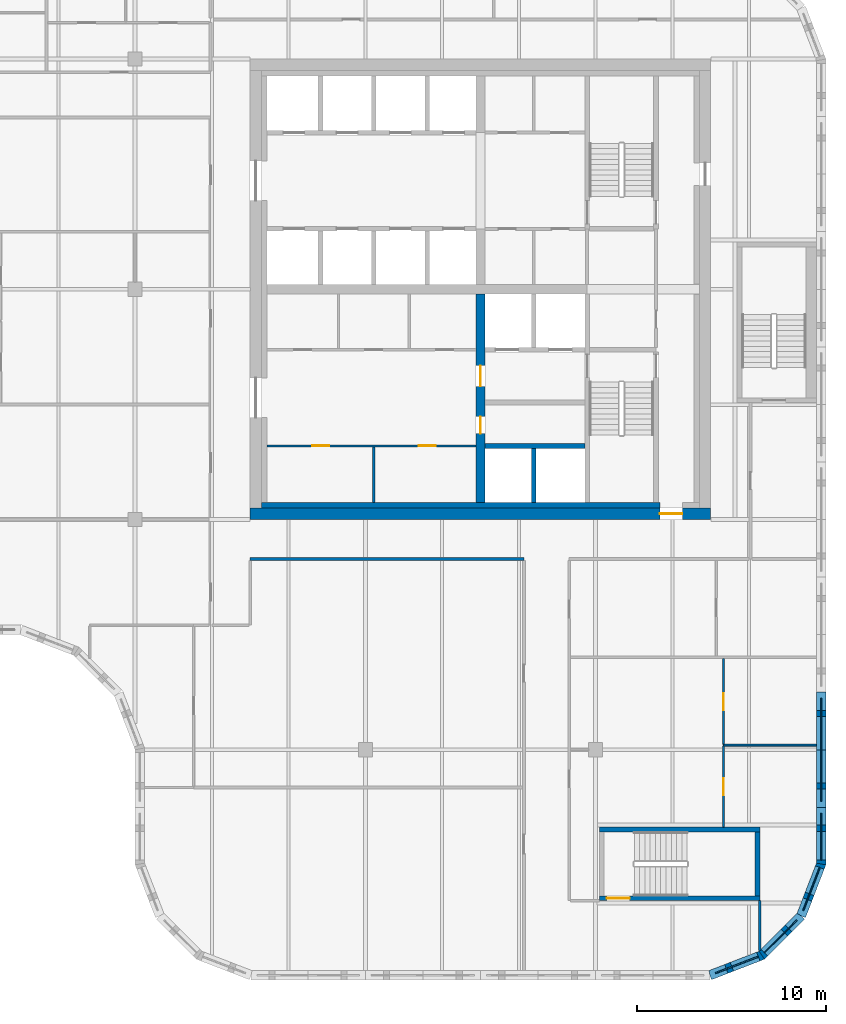
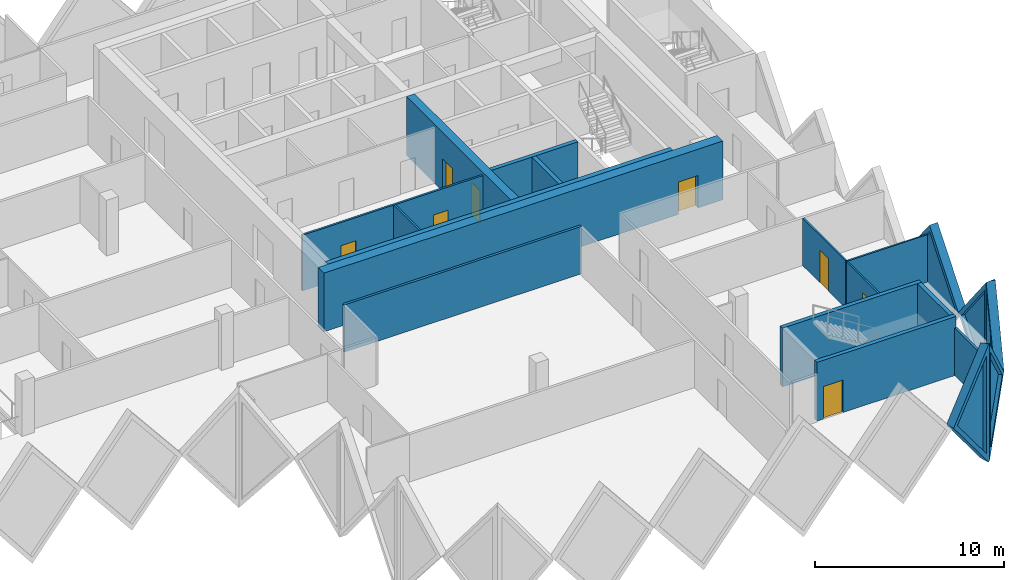
# One storey, part 5 of 11: 20 walls, 8 doors, 5 plates, 13 openings.
"""IFC4 building model written with IfcOpenShell, lengths in metres."""

from ifc_helpers import new_model, si_unit, direction, frame, frame_2d, origin, place, context, subcontext, project, spatial, polyline, rectangle, outline, extrude, faceted_brep, source, transform, mapped, material, layer, layer_set, type_object, element, fill, save


model = new_model("IFC4")

# Units and contexts
model_context = context("Model", 3, precision=1e-05, world=origin(), true_north=direction((0.0, 1.0)))
body_context = subcontext(model_context, "Body", "Model", "MODEL_VIEW")
ifc_project = project(units=[si_unit("LENGTHUNIT", "METRE"), si_unit("AREAUNIT", "SQUARE_METRE"), si_unit("VOLUMEUNIT", "CUBIC_METRE"), si_unit("PLANEANGLEUNIT", "RADIAN"), si_unit("MASSUNIT", "GRAM", prefix="KILO")], contexts=[model_context])

# Site, building, storey
site_placement = place(None, origin())
site = spatial("IfcSite", under=ifc_project, at=site_placement, CompositionType="ELEMENT")
building_placement = place(site_placement, origin())
building = spatial("IfcBuilding", under=site, at=building_placement, Name="Tessera Gate Towers", CompositionType="ELEMENT")
storey_placement = place(building_placement, frame((0.0, 0.0, 174.39990234375)))
storey = spatial("IfcBuildingStorey", under=building, at=storey_placement, Name="L43", CompositionType="ELEMENT", Elevation=174.39990234375)

# Walls
ifc_material_1 = material(Name="Concrete C40/50", Category="concrete")
ifc_layer_1 = layer(ifc_material_1, 0.25)
ifc_layer_set_1 = layer_set([ifc_layer_1], Name="CORE ENCLOSURE WALL 250")
wall_type_1 = type_object("IfcWallType", Name="CORE ENCLOSURE WALL 250", PredefinedType="SOLIDWALL", material=ifc_layer_set_1)
wall_1_placement = place(storey_placement, frame((42.949951171875, 28.300048828125, 0.0), z_axis=(0.0, 0.0, 1.0), x_axis=(1.0, 0.0, 0.0)))
element("IfcWall", 1, at=wall_1_placement, inside=storey, type_object=wall_type_1, Name="L43 shaft and stair enclosure wall", PredefinedType="SOLIDWALL", context=body_context, shape_type="SweptSolid", body=[
    extrude(rectangle(XDim=5.275146484375, YDim=0.25, at=frame_2d((2.6376953125, 0.0))), origin(), (0.0, 0.0, 1.0), 3.800048828125),
])
wall_2_placement = place(storey_placement, frame((45.52490234375, 25.300048828125, 0.0), z_axis=(0.0, 0.0, 1.0), x_axis=(0.0, 1.0, 0.0)))
element("IfcWall", 2, at=wall_2_placement, inside=storey, type_object=wall_type_1, Name="L43 shaft and stair enclosure wall", PredefinedType="SOLIDWALL", context=body_context, shape_type="SweptSolid", body=[
    extrude(rectangle(XDim=2.875, YDim=0.25, at=frame_2d((1.4375, 0.0))), origin(), (0.0, 0.0, 1.0), 3.800048828125),
])

# Wall, opening, door
wall_3_placement = place(storey_placement, frame((57.5, 4.324951171875, 0.0), z_axis=(0.0, 0.0, 1.0), x_axis=(-1.0, 0.0, 0.0)))
wall_3 = element("IfcWall", 3, at=wall_3_placement, inside=storey, type_object=wall_type_1, Name="L43 ST4 enclosure wall", PredefinedType="SOLIDWALL", context=body_context, shape_type="SweptSolid", body=[
    extrude(rectangle(XDim=8.5, YDim=0.25, at=frame_2d((4.25, 0.0))), origin(), (0.0, 0.0, 1.0), 3.800048828125),
])
shared_shape_1 = source(origin(), body_context, "Body", "SweptSolid", [
    extrude(rectangle(XDim=1.199951171875, YDim=2.10009765625, at=frame_2d((0.60009765625, 1.050048828125))), frame((0.0, 0.135009765625, 0.0), z_axis=(0.0, -1.0, 0.0), x_axis=(1.0, 0.0, 0.0)), (0.0, 0.0, 1.0), 0.27001953125),
])
opening_1_placement = place(wall_3_placement, frame((6.89990234375, 0.0, 0.0)))
opening_1 = element("IfcOpeningElement", 4, at=opening_1_placement, cuts=wall_3, Name="Opening SD-ST4-1", PredefinedType="OPENING", context=body_context, shape_type="MappedRepresentation", body=[
    mapped(shared_shape_1, transform((0.0, 0.0, 0.0), scale=1.0)),
])
ifc_material_2 = material(Name="Hollow steel fire door", Category="steel")
door_type_1 = type_object("IfcDoorType", Name="CORE DOOR SD 1200x2100", OperationType="NOTDEFINED", PredefinedType="DOOR", material=ifc_material_2)
shared_shape_2 = source(origin(), body_context, "Body", "SweptSolid", [
    extrude(rectangle(XDim=1.199951171875, YDim=2.10009765625, at=frame_2d((0.60009765625, 1.050048828125))), frame((0.0, 0.02490234375, 0.0), z_axis=(0.0, -1.0, 0.0), x_axis=(1.0, 0.0, 0.0)), (0.0, 0.0, 1.0), 0.050048828125),
])
door_1_placement = place(opening_1_placement, origin())
door_1 = element("IfcDoor", 5, at=door_1_placement, inside=storey, type_object=door_type_1, Name="Stair door", OperationType="SINGLE_SWING_RIGHT", OverallHeight=2.10009765625, OverallWidth=1.199951171875, PredefinedType="DOOR", context=body_context, shape_type="MappedRepresentation", body=[
    mapped(shared_shape_2, transform((0.0, 0.0, 0.0), scale=1.0)),
])
fill(opening_1, door_1)

# Walls
wall_4_placement = place(storey_placement, frame((49.0, 7.97509765625, 0.0), z_axis=(0.0, 0.0, 1.0), x_axis=(1.0, 0.0, 0.0)))
element("IfcWall", 6, at=wall_4_placement, inside=storey, type_object=wall_type_1, Name="L43 ST4 enclosure wall", PredefinedType="SOLIDWALL", context=body_context, shape_type="SweptSolid", body=[
    extrude(rectangle(XDim=8.5, YDim=0.25, at=frame_2d((4.25, 0.0))), origin(), (0.0, 0.0, 1.0), 3.800048828125),
])
wall_5_placement = place(storey_placement, frame((57.375, 7.85009765625, 0.0), z_axis=(0.0, 0.0, 1.0), x_axis=(0.0, -1.0, 0.0)))
element("IfcWall", 7, at=wall_5_placement, inside=storey, type_object=wall_type_1, Name="L43 ST4 enclosure wall", PredefinedType="SOLIDWALL", context=body_context, shape_type="SweptSolid", body=[
    extrude(rectangle(XDim=3.400146484375, YDim=0.25, at=frame_2d((1.7001953125, 0.0))), origin(), (0.0, 0.0, 1.0), 3.800048828125),
])

# Wall, openings, doors
ifc_material_3 = material(Name="Gypsum board on steel studs", Category="steel")
ifc_layer_2 = layer(ifc_material_3, 0.1201171875)
ifc_layer_set_2 = layer_set([ifc_layer_2], Name="CORE PARTITION 120")
wall_type_2 = type_object("IfcWallType", Name="CORE PARTITION 120", PredefinedType="PARTITIONING", material=ifc_layer_set_2)
wall_6_placement = place(storey_placement, frame((42.449951171875, 28.300048828125, 0.0), z_axis=(0.0, 0.0, 1.0), x_axis=(-1.0, 0.0, 0.0)))
wall_6 = element("IfcWall", 8, at=wall_6_placement, inside=storey, type_object=wall_type_2, Name="L43 core partition", PredefinedType="PARTITIONING", context=body_context, shape_type="SweptSolid", body=[
    extrude(rectangle(XDim=11.050048828125, YDim=0.1201171875, at=frame_2d((5.52490234375, 0.0))), origin(), (0.0, 0.0, 1.0), 3.60009765625),
])
shared_shape_3 = source(origin(), body_context, "Body", "SweptSolid", [
    extrude(rectangle(XDim=0.89990234375, YDim=2.10009765625, at=frame_2d((0.449951171875, 1.050048828125))), frame((0.0, 0.070068359375, 0.0), z_axis=(0.0, -1.0, 0.0), x_axis=(1.0, 0.0, 0.0)), (0.0, 0.0, 1.0), 0.14013671875),
])
opening_2_placement = place(wall_6_placement, frame((7.77490234375, 0.0, 0.0)))
opening_2 = element("IfcOpeningElement", 9, at=opening_2_placement, cuts=wall_6, Name="Opening RD-T1-27-07", PredefinedType="OPENING", context=body_context, shape_type="MappedRepresentation", body=[
    mapped(shared_shape_3, transform((0.0, 0.0, 0.0), scale=1.0)),
])
opening_3_placement = place(wall_6_placement, frame((2.125, 0.0, 0.0)))
opening_3 = element("IfcOpeningElement", 10, at=opening_3_placement, cuts=wall_6, Name="Opening RD-T1-27-08", PredefinedType="OPENING", context=body_context, shape_type="MappedRepresentation", body=[
    mapped(shared_shape_3, transform((0.0, 0.0, 0.0), scale=1.0)),
])
ifc_material_4 = material(Name="Hollow steel fire door", Category="steel")
door_type_2 = type_object("IfcDoorType", Name="CORE DOOR RD 900x2100", OperationType="NOTDEFINED", PredefinedType="DOOR", material=ifc_material_4)
shared_shape_4 = source(origin(), body_context, "Body", "SweptSolid", [
    extrude(rectangle(XDim=0.89990234375, YDim=2.10009765625, at=frame_2d((0.449951171875, 1.050048828125))), frame((0.0, 0.02490234375, 0.0), z_axis=(0.0, -1.0, 0.0), x_axis=(1.0, 0.0, 0.0)), (0.0, 0.0, 1.0), 0.050048828125),
])
door_2_placement = place(opening_2_placement, origin())
door_2 = element("IfcDoor", 11, at=door_2_placement, inside=storey, type_object=door_type_2, Name="Core room door", OperationType="SINGLE_SWING_RIGHT", OverallHeight=2.10009765625, OverallWidth=0.89990234375, PredefinedType="DOOR", context=body_context, shape_type="MappedRepresentation", body=[
    mapped(shared_shape_4, transform((0.0, 0.0, 0.0), scale=1.0)),
])
fill(opening_2, door_2)
door_3_placement = place(opening_3_placement, origin())
door_3 = element("IfcDoor", 12, at=door_3_placement, inside=storey, type_object=door_type_2, Name="Core room door", OperationType="SINGLE_SWING_LEFT", OverallHeight=2.10009765625, OverallWidth=0.89990234375, PredefinedType="DOOR", context=body_context, shape_type="MappedRepresentation", body=[
    mapped(shared_shape_4, transform((0.0, 0.0, 0.0), scale=1.0)),
])
fill(opening_3, door_3)

# Wall
wall_7_placement = place(storey_placement, frame((37.050048828125, 25.300048828125, 0.0), z_axis=(0.0, 0.0, 1.0), x_axis=(0.0, 1.0, 0.0)))
element("IfcWall", 13, at=wall_7_placement, inside=storey, type_object=wall_type_2, Name="L43 core partition", PredefinedType="PARTITIONING", context=body_context, shape_type="SweptSolid", body=[
    extrude(rectangle(XDim=2.93994140625, YDim=0.1201171875, at=frame_2d((1.469970703125, 0.0))), origin(), (0.0, 0.0, 1.0), 3.60009765625),
])

# Wall, opening, door
ifc_material_5 = material(Name="Concrete C50/60", Category="concrete")
ifc_layer_3 = layer(ifc_material_5, 0.60009765625)
ifc_layer_set_3 = layer_set([ifc_layer_3], Name="CORE SHEAR WALL 600 C50/60")
wall_type_3 = type_object("IfcWallType", Name="CORE SHEAR WALL 600 C50/60", PredefinedType="SHEAR", material=ifc_layer_set_3)
wall_8_placement = place(storey_placement, frame((54.89990234375, 24.699951171875, 0.0), z_axis=(0.0, 0.0, 1.0), x_axis=(-1.0, 0.0, 0.0)))
wall_8 = element("IfcWall", 14, at=wall_8_placement, inside=storey, type_object=wall_type_3, Name="Core wall S L43", PredefinedType="SHEAR", context=body_context, shape_type="SweptSolid", body=[
    extrude(rectangle(XDim=24.39990234375, YDim=0.60009765625, at=frame_2d((12.199951171875, 0.0))), origin(), (0.0, 0.0, 1.0), 3.800048828125),
])
shared_shape_5 = source(origin(), body_context, "Body", "SweptSolid", [
    extrude(rectangle(XDim=1.199951171875, YDim=2.10009765625, at=frame_2d((0.60009765625, 1.050048828125))), frame((0.0, 0.31005859375, 0.0), z_axis=(0.0, -1.0, 0.0), x_axis=(1.0, 0.0, 0.0)), (0.0, 0.0, 1.0), 0.6201171875),
])
opening_4_placement = place(wall_8_placement, frame((1.5, 0.0, 0.0)))
opening_4 = element("IfcOpeningElement", 15, at=opening_4_placement, cuts=wall_8, Name="Opening ED-T1-27-01", PredefinedType="OPENING", context=body_context, shape_type="MappedRepresentation", body=[
    mapped(shared_shape_5, transform((0.0, 0.0, 0.0), scale=1.0)),
])
ifc_material_6 = material(Name="Hollow steel fire door", Category="steel")
door_type_3 = type_object("IfcDoorType", Name="CORE DOOR ED 1200x2100", OperationType="NOTDEFINED", PredefinedType="DOOR", material=ifc_material_6)
door_4_placement = place(opening_4_placement, origin())
door_4 = element("IfcDoor", 16, at=door_4_placement, inside=storey, type_object=door_type_3, Name="Core exit door", OperationType="SINGLE_SWING_LEFT", OverallHeight=2.10009765625, OverallWidth=1.199951171875, PredefinedType="DOOR", context=body_context, shape_type="MappedRepresentation", body=[
    mapped(shared_shape_2, transform((0.0, 0.0, 0.0), scale=1.0)),
])
fill(opening_4, door_4)

# Wall, openings, doors
ifc_material_7 = material(Name="Concrete C50/60", Category="concrete")
ifc_layer_4 = layer(ifc_material_7, 0.5)
ifc_layer_set_4 = layer_set([ifc_layer_4], Name="CORE SPINE WALL 500 C50/60")
wall_type_4 = type_object("IfcWallType", Name="CORE SPINE WALL 500 C50/60", PredefinedType="SHEAR", material=ifc_layer_set_4)
wall_9_placement = place(storey_placement, frame((42.699951171875, 36.35009765625, 0.0), z_axis=(0.0, 0.0, 1.0), x_axis=(0.0, -1.0, 0.0)))
wall_9 = element("IfcWall", 17, at=wall_9_placement, inside=storey, type_object=wall_type_4, Name="Core wall spine L43", PredefinedType="SHEAR", context=body_context, shape_type="SweptSolid", body=[
    extrude(rectangle(XDim=11.050048828125, YDim=0.5, at=frame_2d((5.52490234375, 0.0))), origin(), (0.0, 0.0, 1.0), 3.800048828125),
])
shared_shape_6 = source(origin(), body_context, "Body", "SweptSolid", [
    extrude(rectangle(XDim=0.89990234375, YDim=2.10009765625, at=frame_2d((0.449951171875, 1.050048828125))), frame((0.0, 0.260009765625, 0.0), z_axis=(0.0, -1.0, 0.0), x_axis=(1.0, 0.0, 0.0)), (0.0, 0.0, 1.0), 0.52001953125),
])
opening_5_placement = place(wall_9_placement, frame((6.5, 0.0, 0.0)))
opening_5 = element("IfcOpeningElement", 18, at=opening_5_placement, cuts=wall_9, Name="Opening RD-T1-27-05", PredefinedType="OPENING", context=body_context, shape_type="MappedRepresentation", body=[
    mapped(shared_shape_6, transform((0.0, 0.0, 0.0), scale=1.0)),
])
shared_shape_7 = source(origin(), body_context, "Body", "SweptSolid", [
    extrude(rectangle(XDim=1.10009765625, YDim=2.10009765625, at=frame_2d((0.550048828125, 1.050048828125))), frame((0.0, 0.260009765625, 0.0), z_axis=(0.0, -1.0, 0.0), x_axis=(1.0, 0.0, 0.0)), (0.0, 0.0, 1.0), 0.52001953125),
])
opening_6_placement = place(wall_9_placement, frame((3.800048828125, 0.0, 0.0)))
opening_6 = element("IfcOpeningElement", 19, at=opening_6_placement, cuts=wall_9, Name="Opening FD-T1-27-06", PredefinedType="OPENING", context=body_context, shape_type="MappedRepresentation", body=[
    mapped(shared_shape_7, transform((0.0, 0.0, 0.0), scale=1.0)),
])
door_5_placement = place(opening_5_placement, origin())
door_5 = element("IfcDoor", 20, at=door_5_placement, inside=storey, type_object=door_type_2, Name="Core room door", OperationType="SINGLE_SWING_RIGHT", OverallHeight=2.10009765625, OverallWidth=0.89990234375, PredefinedType="DOOR", context=body_context, shape_type="MappedRepresentation", body=[
    mapped(shared_shape_4, transform((0.0, 0.0, 0.0), scale=1.0)),
])
fill(opening_5, door_5)
ifc_material_8 = material(Name="Hollow steel fire door", Category="steel")
door_type_4 = type_object("IfcDoorType", Name="CORE DOOR FD 1100x2100", OperationType="NOTDEFINED", PredefinedType="DOOR", material=ifc_material_8)
shared_shape_8 = source(origin(), body_context, "Body", "SweptSolid", [
    extrude(rectangle(XDim=1.10009765625, YDim=2.10009765625, at=frame_2d((0.550048828125, 1.050048828125))), frame((0.0, 0.02490234375, 0.0), z_axis=(0.0, -1.0, 0.0), x_axis=(1.0, 0.0, 0.0)), (0.0, 0.0, 1.0), 0.050048828125),
])
door_6_placement = place(opening_6_placement, origin())
door_6 = element("IfcDoor", 21, at=door_6_placement, inside=storey, type_object=door_type_4, Name="Fire-fighting lobby door", OperationType="SINGLE_SWING_LEFT", OverallHeight=2.10009765625, OverallWidth=1.10009765625, PredefinedType="DOOR", context=body_context, shape_type="MappedRepresentation", body=[
    mapped(shared_shape_8, transform((0.0, 0.0, 0.0), scale=1.0)),
])
fill(opening_6, door_6)

# Walls
ifc_material_9 = material(Name="Concrete C50/60", Category="concrete")
ifc_layer_5 = layer(ifc_material_9, 0.300048828125)
ifc_layer_set_5 = layer_set([ifc_layer_5], Name="CORE WALL THICKENING 300")
wall_type_5 = type_object("IfcWallType", Name="CORE WALL THICKENING 300", PredefinedType="SOLIDWALL", material=ifc_layer_set_5)
wall_10_placement = place(storey_placement, frame((31.10009765625, 25.14990234375, 0.0), z_axis=(0.0, 0.0, 1.0), x_axis=(1.0, 0.0, 0.0)))
element("IfcWall", 22, at=wall_10_placement, inside=storey, type_object=wall_type_5, Name="Core wall thickening S L43", PredefinedType="SOLIDWALL", context=body_context, shape_type="SweptSolid", body=[
    extrude(rectangle(XDim=21.099853515625, YDim=0.300048828125, at=frame_2d((10.5498046875, 0.0))), origin(), (0.0, 0.0, 1.0), 3.800048828125),
])
ifc_material_10 = material(Name="Gypsum board on steel studs, mineral wool", Category="steel")
ifc_layer_6 = layer(ifc_material_10, 0.14990234375)
ifc_layer_set_6 = layer_set([ifc_layer_6], Name="CORRIDOR WALL 150")
wall_type_6 = type_object("IfcWallType", Name="CORRIDOR WALL 150", PredefinedType="PARTITIONING", material=ifc_layer_set_6)
wall_11_placement = place(storey_placement, frame((57.5, 1.55908203125, 0.0), z_axis=(0.0, 0.0, 1.0), x_axis=(0.0, 1.0, 0.0)))
element("IfcWall", 23, at=wall_11_placement, inside=storey, type_object=wall_type_6, Name="T1-L43-PW-002", PredefinedType="PARTITIONING", context=body_context, shape_type="SweptSolid", body=[
    extrude(rectangle(XDim=2.640869140625, YDim=0.14990234375, at=frame_2d((1.3203125, 0.0))), origin(), (0.0, 0.0, 1.0), 3.067138671875),
])
wall_12_placement = place(storey_placement, frame((30.5, 22.300048828125, 0.0), z_axis=(0.0, 0.0, 1.0), x_axis=(1.0, 0.0, 0.0)))
element("IfcWall", 24, at=wall_12_placement, inside=storey, type_object=wall_type_6, Name="T1-L43-PW-021", PredefinedType="PARTITIONING", context=body_context, shape_type="SweptSolid", body=[
    extrude(rectangle(XDim=14.5, YDim=0.14990234375, at=frame_2d((7.25, 0.0))), origin(), (0.0, 0.0, 1.0), 3.067138671875),
])

# Wall, opening, door
ifc_material_11 = material(Name="Gypsum board on steel studs", Category="steel")
ifc_layer_7 = layer(ifc_material_11, 0.10009765625)
ifc_layer_set_7 = layer_set([ifc_layer_7], Name="PARTITION 100")
wall_type_7 = type_object("IfcWallType", Name="PARTITION 100", PredefinedType="PARTITIONING", material=ifc_layer_set_7)
wall_13_placement = place(storey_placement, frame((55.574951171875, 12.396728515625, 0.0), z_axis=(0.0, 0.0, 1.0), x_axis=(0.0, -1.0, 0.0)))
wall_13 = element("IfcWall", 25, at=wall_13_placement, inside=storey, type_object=wall_type_7, Name="T1-L43-PW-005", PredefinedType="PARTITIONING", context=body_context, shape_type="SweptSolid", body=[
    extrude(rectangle(XDim=4.296630859375, YDim=0.10009765625, at=frame_2d((2.1484375, 0.0))), origin(), (0.0, 0.0, 1.0), 3.067138671875),
])
shared_shape_9 = source(origin(), body_context, "Body", "SweptSolid", [
    extrude(rectangle(XDim=0.89990234375, YDim=2.10009765625, at=frame_2d((0.449951171875, 1.050048828125))), frame((0.0, 0.06005859375, 0.0), z_axis=(0.0, -1.0, 0.0), x_axis=(1.0, 0.0, 0.0)), (0.0, 0.0, 1.0), 0.1201171875),
])
opening_7_placement = place(wall_13_placement, frame((1.69677734375, 0.0, 0.0)))
opening_7 = element("IfcOpeningElement", 26, at=opening_7_placement, cuts=wall_13, Name="Opening D190-A15-03", PredefinedType="OPENING", context=body_context, shape_type="MappedRepresentation", body=[
    mapped(shared_shape_9, transform((0.0, 0.0, 0.0), scale=1.0)),
])
ifc_material_12 = material(Name="Timber door leaf in steel frame", Category="steel")
door_type_5 = type_object("IfcDoorType", Name="INTERNAL DOOR 900 NOT RATED", OperationType="NOTDEFINED", PredefinedType="DOOR", material=ifc_material_12)
door_7_placement = place(opening_7_placement, origin())
door_7 = element("IfcDoor", 27, at=door_7_placement, inside=storey, type_object=door_type_5, Name="T1-L43-PD-004", OperationType="SINGLE_SWING_RIGHT", OverallHeight=2.10009765625, OverallWidth=0.89990234375, PredefinedType="DOOR", context=body_context, shape_type="MappedRepresentation", body=[
    mapped(shared_shape_4, transform((0.0, 0.0, 0.0), scale=1.0)),
])
fill(opening_7, door_7)

# Wall
wall_14_placement = place(storey_placement, frame((55.574951171875, 12.447998046875, 0.0), z_axis=(0.0, 0.0, 1.0), x_axis=(1.0, 0.0, 0.0)))
element("IfcWall", 28, at=wall_14_placement, inside=storey, type_object=wall_type_7, Name="T1-L43-PW-010", PredefinedType="PARTITIONING", context=body_context, shape_type="SweptSolid", body=[
    extrude(rectangle(XDim=4.925048828125, YDim=0.10009765625, at=frame_2d((2.46240234375, 0.0))), origin(), (0.0, 0.0, 1.0), 3.067138671875),
])

# Wall, opening, door
wall_15_placement = place(storey_placement, frame((55.574951171875, 17.02392578125, 0.0), z_axis=(0.0, 0.0, 1.0), x_axis=(0.0, -1.0, 0.0)))
wall_15 = element("IfcWall", 29, at=wall_15_placement, inside=storey, type_object=wall_type_7, Name="T1-L43-PW-011", PredefinedType="PARTITIONING", context=body_context, shape_type="SweptSolid", body=[
    extrude(rectangle(XDim=4.525146484375, YDim=0.10009765625, at=frame_2d((2.2626953125, 0.0))), origin(), (0.0, 0.0, 1.0), 3.067138671875),
])
opening_8_placement = place(wall_15_placement, frame((1.8251953125, 0.0, 0.0)))
opening_8 = element("IfcOpeningElement", 30, at=opening_8_placement, cuts=wall_15, Name="Opening D190-A15-05", PredefinedType="OPENING", context=body_context, shape_type="MappedRepresentation", body=[
    mapped(shared_shape_9, transform((0.0, 0.0, 0.0), scale=1.0)),
])
door_8_placement = place(opening_8_placement, origin())
door_8 = element("IfcDoor", 31, at=door_8_placement, inside=storey, type_object=door_type_5, Name="T1-L43-PD-006", OperationType="SINGLE_SWING_RIGHT", OverallHeight=2.10009765625, OverallWidth=0.89990234375, PredefinedType="DOOR", context=body_context, shape_type="MappedRepresentation", body=[
    mapped(shared_shape_4, transform((0.0, 0.0, 0.0), scale=1.0)),
])
fill(opening_8, door_8)

# Wall, opening, plate
ifc_material_13 = material(Name="Precast concrete C60/75 white", Category="concrete")
ifc_layer_8 = layer(ifc_material_13, 0.5)
ifc_layer_set_8 = layer_set([ifc_layer_8], Name="TS3 corner tessera")
wall_type_8 = type_object("IfcWallType", Name="TS3 corner tessera", PredefinedType="SOLIDWALL", material=ifc_layer_set_8)
shared_shape_10 = source(origin(), body_context, "Body", "Brep", [
    faceted_brep([(0.046630859375, -0.25, 0.0), (3.050048828125, -0.25, 3.7998046875), (0.046630859375, -0.25, 7.599853515625), (0.0, -0.25, 7.539794921875), (0.0, -0.25, 0.06005859375), (0.09326171875, 0.25, 7.541015625), (3.050048828125, 0.25, 3.7998046875), (0.09326171875, 0.25, 0.058837890625), (0.046630859375, 0.0, 0.0), (0.046630859375, 0.0, 7.599853515625)], [[[0, 1, 2, 3, 4]], [[5, 6, 7]], [[7, 6, 1, 0, 8]], [[6, 5, 9, 2, 1]], [[3, 2, 9]], [[8, 0, 4]], [[7, 8, 4, 3, 9, 5]]]),
])
wall_16_placement = place(storey_placement, frame((60.75, 6.099853515625, -3.7998046875), z_axis=(0.0, 0.0, 1.0), x_axis=(0.0, 1.0, 0.0)))
wall_16 = element("IfcWall", 32, at=wall_16_placement, inside=storey, type_object=wall_type_8, Name="Precast corner tessera T1 TS3-0988", PredefinedType="SOLIDWALL", context=body_context, shape_type="MappedRepresentation", body=[
    mapped(shared_shape_10, transform((0.0, 0.0, 0.0), scale=1.0)),
])
shared_shape_11 = source(origin(), body_context, "Body", "SweptSolid", [
    extrude(outline(polyline([(0.24658203125, 0.656005859375), (2.7314453125, 3.7998046875), (0.24658203125, 6.943603515625), (0.24658203125, 0.656005859375)])), frame((0.0, 0.260009765625, 0.0), z_axis=(0.0, -1.0, 0.0), x_axis=(1.0, 0.0, 0.0)), (0.0, 0.0, 1.0), 0.52001953125),
])
opening_9_placement = place(wall_16_placement, origin())
opening_9 = element("IfcOpeningElement", 33, at=opening_9_placement, cuts=wall_16, Name="Opening T1-PL2-1511", PredefinedType="OPENING", context=body_context, shape_type="MappedRepresentation", body=[
    mapped(shared_shape_11, transform((0.0, 0.0, 0.0), scale=1.0)),
])
ifc_material_14 = material(Name="Low-e laminated glass", Category="glass")
ifc_layer_9 = layer(ifc_material_14, 0.06005859375)
ifc_layer_set_9 = layer_set([ifc_layer_9], Name="PL2 rhombic pane")
plate_type = type_object("IfcPlateType", Name="PL2 rhombic pane", PredefinedType="SHEET", material=ifc_layer_set_9)
shared_shape_12 = source(origin(), body_context, "Body", "SweptSolid", [
    extrude(outline(polyline([(0.24658203125, 0.656005859375), (2.7314453125, 3.7998046875), (0.24658203125, 6.943603515625), (0.24658203125, 0.656005859375)])), frame((0.0, 0.030029296875, 0.0), z_axis=(0.0, -1.0, 0.0), x_axis=(1.0, 0.0, 0.0)), (0.0, 0.0, 1.0), 0.06005859375),
])
plate_1_placement = place(opening_9_placement, origin())
plate_1 = element("IfcPlate", 34, at=plate_1_placement, inside=storey, type_object=plate_type, Name="Glass pane T1 PL2-1511", PredefinedType="SHEET", context=body_context, shape_type="MappedRepresentation", body=[
    mapped(shared_shape_12, transform((0.0, 0.0, 0.0), scale=1.0)),
])
fill(opening_9, plate_1)

ifc_material_15 = material(Name="Precast concrete C60/75 white", Category="concrete")
ifc_layer_10 = layer(ifc_material_15, 0.5)
ifc_layer_set_10 = layer_set([ifc_layer_10], Name="TS1 tessera")
wall_type_9 = type_object("IfcWallType", Name="TS1 tessera", PredefinedType="SOLIDWALL", material=ifc_layer_set_10)
shared_shape_13 = source(origin(), body_context, "Body", "SweptSolid", [
    extrude(outline(polyline([(3.050048828125, 0.0), (6.10009765625, 3.7998046875), (3.050048828125, 7.599853515625), (0.0, 3.7998046875), (3.050048828125, 0.0)])), frame((0.0, 0.25, 0.0), z_axis=(0.0, -1.0, 0.0), x_axis=(1.0, 0.0, 0.0)), (0.0, 0.0, 1.0), 0.5),
])
wall_17_placement = place(storey_placement, frame((60.75, 9.14990234375, -3.7998046875), z_axis=(0.0, 0.0, 1.0), x_axis=(0.0, 1.0, 0.0)))
wall_17 = element("IfcWall", 35, at=wall_17_placement, inside=storey, type_object=wall_type_9, Name="Precast tessera T1 TS1-0740", PredefinedType="SOLIDWALL", context=body_context, shape_type="MappedRepresentation", body=[
    mapped(shared_shape_13, transform((0.0, 0.0, 0.0), scale=1.0)),
])
shared_shape_14 = source(origin(), body_context, "Body", "SweptSolid", [
    extrude(outline(polyline([(3.050048828125, 0.3994140625), (5.779541015625, 3.7998046875), (3.050048828125, 7.200439453125), (0.320556640625, 3.7998046875), (3.050048828125, 0.3994140625)])), frame((0.0, 0.260009765625, 0.0), z_axis=(0.0, -1.0, 0.0), x_axis=(1.0, 0.0, 0.0)), (0.0, 0.0, 1.0), 0.52001953125),
])
opening_10_placement = place(wall_17_placement, origin())
opening_10 = element("IfcOpeningElement", 36, at=opening_10_placement, cuts=wall_17, Name="Opening T1-PL2-1512", PredefinedType="OPENING", context=body_context, shape_type="MappedRepresentation", body=[
    mapped(shared_shape_14, transform((0.0, 0.0, 0.0), scale=1.0)),
])
shared_shape_15 = source(origin(), body_context, "Body", "SweptSolid", [
    extrude(outline(polyline([(3.050048828125, 0.3994140625), (5.779541015625, 3.7998046875), (3.050048828125, 7.200439453125), (0.320556640625, 3.7998046875), (3.050048828125, 0.3994140625)])), frame((0.0, 0.030029296875, 0.0), z_axis=(0.0, -1.0, 0.0), x_axis=(1.0, 0.0, 0.0)), (0.0, 0.0, 1.0), 0.06005859375),
])
plate_2_placement = place(opening_10_placement, origin())
plate_2 = element("IfcPlate", 37, at=plate_2_placement, inside=storey, type_object=plate_type, Name="Glass pane T1 PL2-1512", PredefinedType="SHEET", context=body_context, shape_type="MappedRepresentation", body=[
    mapped(shared_shape_15, transform((0.0, 0.0, 0.0), scale=1.0)),
])
fill(opening_10, plate_2)

shared_shape_16 = source(origin(), body_context, "Body", "Brep", [
    faceted_brep([(2.950439453125, -0.25, 0.0), (2.9970703125, -0.25, 0.05908203125), (2.9970703125, -0.25, 7.540771484375), (2.950439453125, -0.25, 7.599853515625), (0.0, -0.25, 3.7998046875), (0.052978515625, 0.25, 3.867919921875), (2.904052734375, 0.25, 7.5400390625), (2.904052734375, 0.25, 0.059814453125), (0.052978515625, 0.25, 3.731689453125), (2.950439453125, 0.00048828125, 0.0), (2.950439453125, 0.00048828125, 7.599853515625), (0.0, 0.0, 3.7998046875)], [[[0, 1, 2, 3, 4]], [[5, 6, 7, 8]], [[1, 0, 9]], [[10, 3, 2]], [[6, 5, 11, 4, 3, 10]], [[8, 7, 9, 0, 4, 11]], [[8, 11, 5]], [[1, 9, 7, 6, 10, 2]]]),
])
wall_18_placement = place(storey_placement, frame((59.68798828125, 3.393798828125, -3.7998046875), z_axis=(0.0, 0.0, 1.0), x_axis=(0.359972353723, 0.932962970624, 0.0)))
wall_18 = element("IfcWall", 38, at=wall_18_placement, inside=storey, type_object=wall_type_8, Name="Precast corner tessera T1 TS3-0987", PredefinedType="SOLIDWALL", context=body_context, shape_type="MappedRepresentation", body=[
    mapped(shared_shape_16, transform((0.0, 0.0, 0.0), scale=1.0)),
])
shared_shape_17 = source(origin(), body_context, "Body", "SweptSolid", [
    extrude(outline(polyline([(2.75048828125, 6.9345703125), (0.31640625, 3.7998046875), (2.75048828125, 0.6650390625), (2.75048828125, 6.9345703125)])), frame((0.0, 0.260009765625, 0.0), z_axis=(0.0, -1.0, 0.0), x_axis=(1.0, 0.0, 0.0)), (0.0, 0.0, 1.0), 0.52001953125),
])
opening_11_placement = place(wall_18_placement, origin())
opening_11 = element("IfcOpeningElement", 39, at=opening_11_placement, cuts=wall_18, Name="Opening T1-PL2-1510", PredefinedType="OPENING", context=body_context, shape_type="MappedRepresentation", body=[
    mapped(shared_shape_17, transform((0.0, 0.0, 0.0), scale=1.0)),
])
shared_shape_18 = source(origin(), body_context, "Body", "SweptSolid", [
    extrude(outline(polyline([(2.75048828125, 6.9345703125), (0.31640625, 3.7998046875), (2.75048828125, 0.6650390625), (2.75048828125, 6.9345703125)])), frame((0.0, 0.030029296875, 0.0), z_axis=(0.0, -1.0, 0.0), x_axis=(1.0, 0.0, 0.0)), (0.0, 0.0, 1.0), 0.06005859375),
])
plate_3_placement = place(opening_11_placement, origin())
plate_3 = element("IfcPlate", 40, at=plate_3_placement, inside=storey, type_object=plate_type, Name="Glass pane T1 PL2-1510", PredefinedType="SHEET", context=body_context, shape_type="MappedRepresentation", body=[
    mapped(shared_shape_18, transform((0.0, 0.0, 0.0), scale=1.0)),
])
fill(opening_11, plate_3)

shared_shape_19 = source(origin(), body_context, "Body", "Brep", [
    faceted_brep([(0.052978515625, -0.25, 0.0), (2.9970703125, -0.25, 3.7998046875), (0.052978515625, -0.25, 7.599853515625), (0.0, -0.25, 7.53173828125), (0.0, -0.25, 0.068115234375), (0.10595703125, 0.25, 7.531494140625), (2.944091796875, 0.25, 3.867919921875), (2.944091796875, 0.25, 3.731689453125), (0.10595703125, 0.25, 0.068359375), (2.9970703125, 0.000244140625, 3.7998046875), (0.052978515625, 0.0, 0.0), (0.052978515625, 0.0, 7.599853515625)], [[[0, 1, 2, 3, 4]], [[5, 6, 7, 8]], [[8, 7, 9, 1, 0, 10]], [[6, 5, 11, 2, 1, 9]], [[3, 2, 11]], [[10, 0, 4]], [[8, 10, 4, 3, 11, 5]], [[9, 7, 6]]]),
])
wall_19_placement = place(storey_placement, frame((57.56884765625, 1.2744140625, -3.7998046875), z_axis=(0.0, 0.0, 1.0), x_axis=(0.707066050402, 0.707147509625, 0.0)))
wall_19 = element("IfcWall", 41, at=wall_19_placement, inside=storey, type_object=wall_type_8, Name="Precast corner tessera T1 TS3-0986", PredefinedType="SOLIDWALL", context=body_context, shape_type="MappedRepresentation", body=[
    mapped(shared_shape_19, transform((0.0, 0.0, 0.0), scale=1.0)),
])
shared_shape_20 = source(origin(), body_context, "Body", "SweptSolid", [
    extrude(outline(polyline([(0.2529296875, 0.666259765625), (2.680908203125, 3.7998046875), (0.2529296875, 6.93359375), (0.2529296875, 0.666259765625)])), frame((0.0, 0.260009765625, 0.0), z_axis=(0.0, -1.0, 0.0), x_axis=(1.0, 0.0, 0.0)), (0.0, 0.0, 1.0), 0.52001953125),
])
opening_12_placement = place(wall_19_placement, origin())
opening_12 = element("IfcOpeningElement", 42, at=opening_12_placement, cuts=wall_19, Name="Opening T1-PL2-1509", PredefinedType="OPENING", context=body_context, shape_type="MappedRepresentation", body=[
    mapped(shared_shape_20, transform((0.0, 0.0, 0.0), scale=1.0)),
])
shared_shape_21 = source(origin(), body_context, "Body", "SweptSolid", [
    extrude(outline(polyline([(0.2529296875, 0.666259765625), (2.680908203125, 3.7998046875), (0.2529296875, 6.93359375), (0.2529296875, 0.666259765625)])), frame((0.0, 0.030029296875, 0.0), z_axis=(0.0, -1.0, 0.0), x_axis=(1.0, 0.0, 0.0)), (0.0, 0.0, 1.0), 0.06005859375),
])
plate_4_placement = place(opening_12_placement, origin())
plate_4 = element("IfcPlate", 43, at=plate_4_placement, inside=storey, type_object=plate_type, Name="Glass pane T1 PL2-1509", PredefinedType="SHEET", context=body_context, shape_type="MappedRepresentation", body=[
    mapped(shared_shape_21, transform((0.0, 0.0, 0.0), scale=1.0)),
])
fill(opening_12, plate_4)

shared_shape_22 = source(origin(), body_context, "Body", "Brep", [
    faceted_brep([(2.950439453125, -0.25, 0.0), (3.00341796875, -0.25, 0.068359375), (3.00341796875, -0.25, 7.531494140625), (2.950439453125, -0.25, 7.599853515625), (0.0, -0.25, 3.7998046875), (0.046630859375, 0.25, 3.85986328125), (2.897705078125, 0.25, 7.53173828125), (2.897705078125, 0.25, 0.068115234375), (0.046630859375, 0.25, 3.73974609375), (2.950439453125, 0.00048828125, 0.0), (2.950439453125, 0.00048828125, 7.599853515625), (0.0, 0.0, 3.7998046875)], [[[0, 1, 2, 3, 4]], [[5, 6, 7, 8]], [[1, 0, 9]], [[10, 3, 2]], [[6, 5, 11, 4, 3, 10]], [[8, 7, 9, 0, 4, 11]], [[8, 11, 5]], [[1, 9, 7, 6, 10, 2]]]),
])
wall_20_placement = place(storey_placement, frame((54.853515625, 0.25, -3.7998046875), z_axis=(0.0, 0.0, 1.0), x_axis=(0.932970071518, 0.359953949349, 0.0)))
wall_20 = element("IfcWall", 44, at=wall_20_placement, inside=storey, type_object=wall_type_8, Name="Precast corner tessera T1 TS3-0985", PredefinedType="SOLIDWALL", context=body_context, shape_type="MappedRepresentation", body=[
    mapped(shared_shape_22, transform((0.0, 0.0, 0.0), scale=1.0)),
])
opening_13_placement = place(wall_20_placement, origin())
opening_13 = element("IfcOpeningElement", 45, at=opening_13_placement, cuts=wall_20, Name="Opening T1-PL2-1508", PredefinedType="OPENING", context=body_context, shape_type="MappedRepresentation", body=[
    mapped(shared_shape_17, transform((0.0, 0.0, 0.0), scale=1.0)),
])
plate_5_placement = place(opening_13_placement, origin())
plate_5 = element("IfcPlate", 46, at=plate_5_placement, inside=storey, type_object=plate_type, Name="Glass pane T1 PL2-1508", PredefinedType="SHEET", context=body_context, shape_type="MappedRepresentation", body=[
    mapped(shared_shape_18, transform((0.0, 0.0, 0.0), scale=1.0)),
])
fill(opening_13, plate_5)

save(model, "model.ifc")
